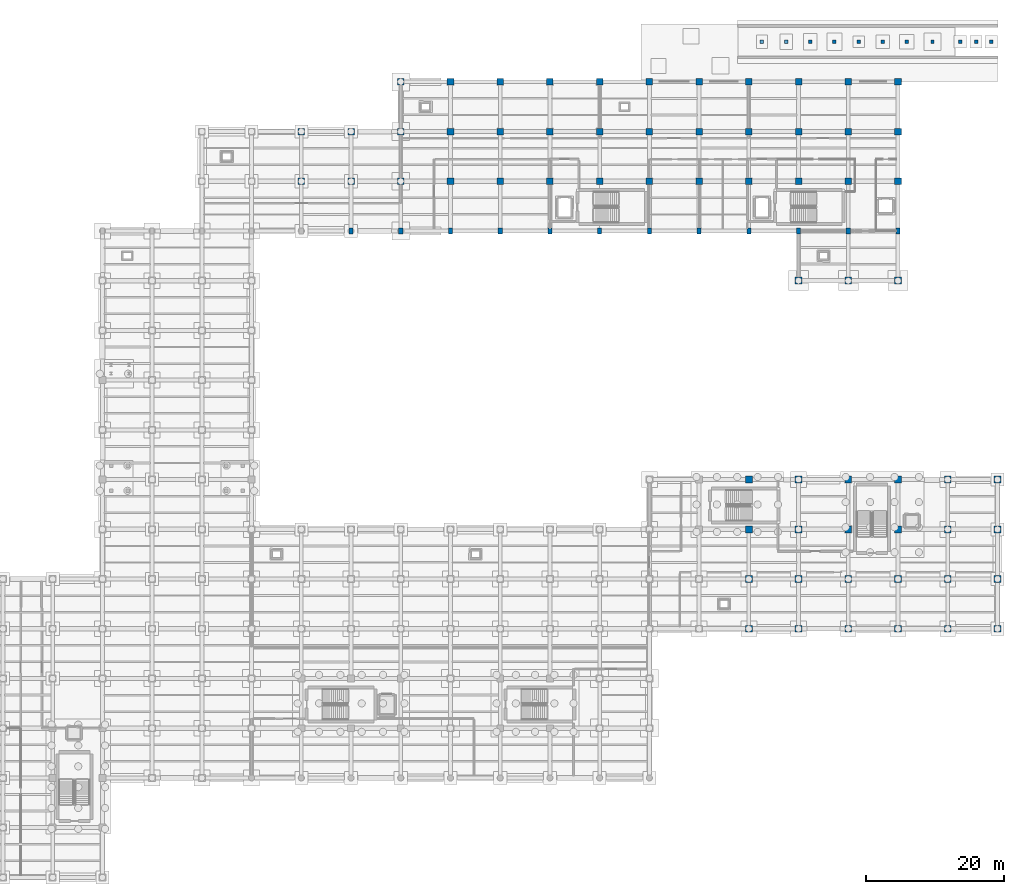
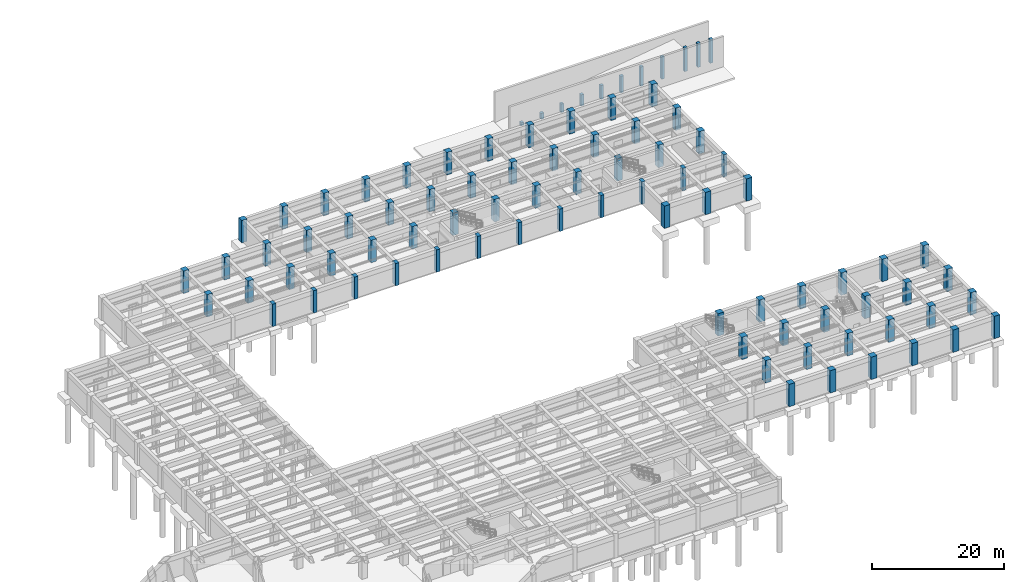
# One storey, part 7 of 34: 87 columns.
"""IFC4 building model written with IfcOpenShell, lengths in metres."""

import ifcopenshell
import ifcopenshell.guid

model = None  # the IFC model being written
_history = None  # IfcOwnerHistory: only IFC2X3 demands one
_inside = {}  # id of a spatial element -> (the spatial element, [elements in it])
_under = {}  # id of a project, library or spatial element -> (it, [spatial elements below it])
_declared = {}  # id of a project -> (the project, [libraries it declares])
_typed = {}  # id of a type object -> (the type object, [elements of that type])
_made_of = {}  # id of a material, layer set ... -> (it, [elements and type objects made of it])


def new_model(schema):
    """Start an empty IFC model of exactly this schema.

    Asked for "IFC4X3", IfcOpenShell would pick the latest addendum, in which some entities
    have other attributes; the version numbers below select the first issue.
    IFC2X3 requires an IfcOwnerHistory on every rooted entity: one is made here for all.
    """
    global model, _history
    if schema == "IFC4X3":
        model = ifcopenshell.file(schema_version=(4, 3, 0, 0))
    else:
        model = ifcopenshell.file(schema=schema)
    _inside.clear()
    _under.clear()
    _declared.clear()
    _typed.clear()
    _made_of.clear()
    _history = None
    if model.schema == "IFC2X3":
        org = make("IfcOrganization", Name="unknown")
        user = make(
            "IfcPersonAndOrganization",
            ThePerson=make("IfcPerson", FamilyName="unknown"),
            TheOrganization=org,
        )
        app = make(
            "IfcApplication",
            ApplicationDeveloper=org,
            Version="unknown",
            ApplicationFullName="unknown",
            ApplicationIdentifier="unknown",
        )
        _history = make(
            "IfcOwnerHistory",
            OwningUser=user,
            OwningApplication=app,
            ChangeAction="ADDED",
            CreationDate=0,
        )
    return model


def make(cls, **values):
    """One entity of the class cls with the attributes given. An attribute that is None is left unset."""
    return model.create_entity(
        cls, **{name: value for name, value in values.items() if value is not None}
    )


def rooted(cls, **values):
    """An entity with a GlobalId (a new one), such as an element, a storey or a relation."""
    return make(cls, GlobalId=ifcopenshell.guid.new(), OwnerHistory=_history, **values)


def si_unit(unit_type, name, prefix=None):
    """IfcSIUnit, for example si_unit("LENGTHUNIT", "METRE", prefix="MILLI")."""
    return make("IfcSIUnit", UnitType=unit_type, Prefix=prefix, Name=name)


def assignment(units):
    """IfcUnitAssignment: the units of a project."""
    return None if units is None else make("IfcUnitAssignment", Units=units)


def point(xyz):
    """IfcCartesianPoint."""
    return None if xyz is None else make("IfcCartesianPoint", Coordinates=xyz)


def direction(xyz):
    """IfcDirection."""
    return None if xyz is None else make("IfcDirection", DirectionRatios=xyz)


def frame(location, z_axis=None, x_axis=None):
    """IfcAxis2Placement3D, a coordinate frame: its origin and axes. An axis left out is left unset."""
    return make(
        "IfcAxis2Placement3D",
        Location=point(location),
        Axis=direction(z_axis),
        RefDirection=direction(x_axis),
    )


def frame_2d(location, x_axis=None):
    """IfcAxis2Placement2D, a coordinate frame in the plane: its origin and x axis."""
    return make(
        "IfcAxis2Placement2D", Location=point(location), RefDirection=direction(x_axis)
    )


def origin():
    """The frame at (0, 0, 0) with its axes left unset."""
    return frame((0.0, 0.0, 0.0))


def origin_2d():
    """The frame at (0, 0) in the plane with its x axis left unset."""
    return frame_2d((0.0, 0.0))


def place(relative_to, where):
    """IfcLocalPlacement: puts the frame where relative to a parent placement (None: the world)."""
    return make(
        "IfcLocalPlacement", PlacementRelTo=relative_to, RelativePlacement=where
    )


def context(
    kind, dimensions, precision=None, world=None, true_north=None, identifier=None
):
    """IfcGeometricRepresentationContext, for example the 3D "Model" context."""
    return make(
        "IfcGeometricRepresentationContext",
        ContextIdentifier=identifier,
        ContextType=kind,
        CoordinateSpaceDimension=dimensions,
        Precision=precision,
        WorldCoordinateSystem=world,
        TrueNorth=true_north,
    )


def subcontext(parent, identifier, kind, view, scale=None):
    """IfcGeometricRepresentationSubContext, for example "Body" below "Model"."""
    return make(
        "IfcGeometricRepresentationSubContext",
        ContextIdentifier=identifier,
        ContextType=kind,
        ParentContext=parent,
        TargetScale=scale,
        TargetView=view,
    )


def project(units=None, contexts=None):
    """IfcProject with its units and contexts."""
    return rooted(
        "IfcProject",
        Name="project",
        RepresentationContexts=contexts,
        UnitsInContext=assignment(units),
    )


def spatial(cls, under=None, at=None, **own):
    """A site, building, storey or space (cls), placed at a placement, below another one or the project."""
    s = rooted(cls, ObjectPlacement=at, **own)
    if under is not None:
        _under.setdefault(under.id(), (under, []))[1].append(s)
    return s


def profile(cls, at=None, kind="AREA", **sizes):
    """A parametric profile (cls). Its sizes go by their IFC names, for example OverallWidth=200.0."""
    return make(cls, ProfileType=kind, Position=at, **sizes)


def rectangle(**sizes):
    """IfcRectangleProfileDef."""
    return profile("IfcRectangleProfileDef", **sizes)


def extrude(swept, where, along, depth):
    """IfcExtrudedAreaSolid: the profile swept, set in the frame where, extruded along a direction by depth."""
    return make(
        "IfcExtrudedAreaSolid",
        SweptArea=swept,
        Position=where,
        ExtrudedDirection=direction(along),
        Depth=depth,
    )


def shape(context_of_items, identifier, shape_type, items):
    """IfcShapeRepresentation: the items that make up one representation, for example the "Body"."""
    return make(
        "IfcShapeRepresentation",
        ContextOfItems=context_of_items,
        RepresentationIdentifier=identifier,
        RepresentationType=shape_type,
        Items=items,
    )


def material(Name=None, Category=None):
    """IfcMaterial."""
    return make("IfcMaterial", Name=Name, Category=Category)


def material_profile(
    of_material, cross_section, Name=None, Category=None, Priority=None
):
    """IfcMaterialProfile: a cross section and its material."""
    return make(
        "IfcMaterialProfile",
        Name=Name,
        Material=of_material,
        Profile=cross_section,
        Priority=Priority,
        Category=Category,
    )


def profile_set(profiles, Name=None, composite=None):
    """IfcMaterialProfileSet."""
    return make(
        "IfcMaterialProfileSet",
        Name=Name,
        MaterialProfiles=profiles,
        CompositeProfile=composite,
    )


def made_of(thing, what):
    """Note that an element or type object is made of a material, layer set ...; save() writes the relation."""
    if what is not None:
        _made_of.setdefault(what.id(), (what, []))[1].append(thing)
    return thing


def type_object(cls, material=None, **own):
    """A type object (cls), such as IfcWallType, which elements share."""
    return made_of(rooted(cls, **own), material)


def element(
    cls,
    number,
    at=None,
    inside=None,
    cuts=None,
    type_object=None,
    material=None,
    context=None,
    identifier="Body",
    shape_type=None,
    held_by="IfcProductDefinitionShape",
    body=None,
    shapes=None,
    **own,
):
    """One element of the class cls, such as IfcWall. Its Tag is "e" and its number.

    at: its placement. inside: the storey or other place that contains it. cuts: it is an
    opening in that element (IfcRelVoidsElement). A single representation is given by context,
    identifier, shape_type and body (its items); several are given by shapes. held_by: the class
    of the entity that holds the representations. save() writes the other relations.
    """
    e = rooted(cls, Tag="e%d" % number, ObjectPlacement=at, **own)
    if body is not None:
        shapes = [shape(context, identifier, shape_type, body)]
    if shapes is not None:
        e.Representation = make(held_by, Representations=shapes)
    if inside is not None:
        _inside.setdefault(inside.id(), (inside, []))[1].append(e)
    if cuts is not None:
        rooted(
            "IfcRelVoidsElement", RelatingBuildingElement=cuts, RelatedOpeningElement=e
        )
    if type_object is not None:
        _typed.setdefault(type_object.id(), (type_object, []))[1].append(e)
    return made_of(e, material)


def aggregate(whole, parts):
    """IfcRelAggregates: a whole, such as a stair, and the parts it consists of."""
    return rooted("IfcRelAggregates", RelatingObject=whole, RelatedObjects=parts)


def save(model, path):
    """Write the relations noted so far, then the file.

    IfcRelAggregates (storeys below a building ...), IfcRelContainedInSpatialStructure (elements
    in a storey), IfcRelDefinesByType, IfcRelAssociatesMaterial and IfcRelDeclares: one each for
    every whole, place, type object, material and project.
    """
    for whole, parts in _under.values():
        aggregate(whole, parts)
    for where, things in _inside.values():
        rooted(
            "IfcRelContainedInSpatialStructure",
            RelatedElements=things,
            RelatingStructure=where,
        )
    for kind, things in _typed.values():
        rooted("IfcRelDefinesByType", RelatedObjects=things, RelatingType=kind)
    for what, things in _made_of.values():
        rooted("IfcRelAssociatesMaterial", RelatedObjects=things, RelatingMaterial=what)
    for by, libraries in _declared.values():
        rooted("IfcRelDeclares", RelatingContext=by, RelatedDefinitions=libraries)
    model.write(path)


model = new_model("IFC4")

# Units and contexts
model_context = context("Model", 3, precision=1e-05, world=origin(), true_north=direction((0.0, 1.0)))
body_context = subcontext(model_context, "Body", "Model", "MODEL_VIEW")
ifc_project = project(units=[si_unit("LENGTHUNIT", "METRE"), si_unit("AREAUNIT", "SQUARE_METRE"), si_unit("VOLUMEUNIT", "CUBIC_METRE"), si_unit("PLANEANGLEUNIT", "RADIAN"), si_unit("MASSUNIT", "GRAM", prefix="KILO")], contexts=[model_context])

# Site, building, storey
site_placement = place(None, origin())
site = spatial("IfcSite", under=ifc_project, at=site_placement, CompositionType="ELEMENT")
building_placement = place(site_placement, origin())
building = spatial("IfcBuilding", under=site, at=building_placement, Name="Solenvale Faculty of Natural Sciences", CompositionType="ELEMENT")
storey_placement = place(building_placement, frame((0.0, 0.0, -4.5)))
storey = spatial("IfcBuildingStorey", under=building, at=storey_placement, Name="B01", CompositionType="ELEMENT", Elevation=-4.5)

# Columns
ifc_material_1 = material(Name="Concrete 50 MPa", Category="concrete")
ifc_material_profile_1 = material_profile(ifc_material_1, rectangle(XDim=1.0, YDim=1.0, at=origin_2d()), Name="RC-COL-1000x1000")
ifc_profile_set_1 = profile_set([ifc_material_profile_1], Name="Concrete 50 MPa")
column_type_1 = type_object("IfcColumnType", Name="COL-RC-1000", PredefinedType="COLUMN", material=ifc_profile_set_1)
for number, where, z_axis, x_axis, name in (
    (1, (129.60009765625, 36.0, 0.0), (0.0, 0.0, 1.0), (1.0, 0.0, 0.0), "B01 Column (129.6, 36.0)"),
    (2, (129.60009765625, 43.199951171875, 0.0), (0.0, 0.0, 1.0), (1.0, 0.0, 0.0), "B01 Column (129.6, 43.2)"),
    (3, (129.60009765625, 50.39990234375, 0.0), (0.0, 0.0, 1.0), (1.0, 0.0, 0.0), "B01 Column (129.6, 50.4)"),
    (4, (129.60009765625, 57.60009765625, 0.0), (0.0, 0.0, 1.0), (1.0, 0.0, 0.0), "B01 Column (129.6, 57.6)"),
    (5, (136.800048828125, 36.0, 0.0), (0.0, 0.0, 1.0), (1.0, 0.0, 0.0), "B01 Column (136.8, 36.0)"),
    (6, (136.800048828125, 43.199951171875, 0.0), (0.0, 0.0, 1.0), (1.0, 0.0, 0.0), "B01 Column (136.8, 43.2)"),
    (7, (136.800048828125, 50.39990234375, 0.0), (0.0, 0.0, 1.0), (1.0, 0.0, 0.0), "B01 Column (136.8, 50.4)"),
    (8, (136.800048828125, 57.60009765625, 0.0), (0.0, 0.0, 1.0), (1.0, 0.0, 0.0), "B01 Column (136.8, 57.6)"),
    (9, (136.800048828125, 86.39990234375, 0.0), (0.0, 0.0, 1.0), (1.0, 0.0, 0.0), "B01 Column (136.8, 86.4)"),
    (10, (144.0, 36.0, 0.0), (0.0, 0.0, 1.0), (1.0, 0.0, 0.0), "B01 Column (144.0, 36.0)"),
    (11, (144.0, 43.199951171875, 0.0), (0.0, 0.0, 1.0), (1.0, 0.0, 0.0), "B01 Column (144.0, 43.2)"),
    (12, (144.0, 50.39990234375, 0.0), (0.0, 0.0, 1.0), (1.0, 0.0, 0.0), "B01 Column (144.0, 50.4)"),
    (13, (144.0, 57.60009765625, 0.0), (0.0, 0.0, 1.0), (1.0, 0.0, 0.0), "B01 Column (144.0, 57.6)"),
    (14, (144.0, 86.39990234375, 0.0), (0.0, 0.0, 1.0), (1.0, 0.0, 0.0), "B01 Column (144.0, 86.4)"),
    (15, (151.199951171875, 36.0, 0.0), (0.0, 0.0, 1.0), (1.0, 0.0, 0.0), "B01 Column (151.2, 36.0)"),
    (16, (151.199951171875, 43.199951171875, 0.0), (0.0, 0.0, 1.0), (1.0, 0.0, 0.0), "B01 Column (151.2, 43.2)"),
    (17, (151.199951171875, 50.39990234375, 0.0), (0.0, 0.0, 1.0), (1.0, 0.0, 0.0), "B01 Column (151.2, 50.4)"),
    (18, (151.199951171875, 57.60009765625, 0.0), (0.0, 0.0, 1.0), (1.0, 0.0, 0.0), "B01 Column (151.2, 57.6)"),
    (19, (151.199951171875, 86.39990234375, 0.0), (0.0, 0.0, 1.0), (1.0, 0.0, 0.0), "B01 Column (151.2, 86.4)"),
    (20, (158.39990234375, 36.0, 0.0), (0.0, 0.0, 1.0), (1.0, 0.0, 0.0), "B01 Column (158.4, 36.0)"),
    (21, (158.39990234375, 43.199951171875, 0.0), (0.0, 0.0, 1.0), (1.0, 0.0, 0.0), "B01 Column (158.4, 43.2)"),
    (22, (158.39990234375, 50.39990234375, 0.0), (0.0, 0.0, 1.0), (1.0, 0.0, 0.0), "B01 Column (158.4, 50.4)"),
    (23, (158.39990234375, 57.60009765625, 0.0), (0.0, 0.0, 1.0), (1.0, 0.0, 0.0), "B01 Column (158.4, 57.6)"),
    (24, (165.60009765625, 36.0, 0.0), (0.0, 0.0, 1.0), (1.0, 0.0, 0.0), "B01 Column (165.6, 36.0)"),
    (25, (165.60009765625, 43.199951171875, 0.0), (0.0, 0.0, 1.0), (1.0, 0.0, 0.0), "B01 Column (165.6, 43.2)"),
    (26, (165.60009765625, 50.39990234375, 0.0), (0.0, 0.0, 1.0), (1.0, 0.0, 0.0), "B01 Column (165.6, 50.4)"),
    (27, (165.60009765625, 57.60009765625, 0.0), (0.0, 0.0, 1.0), (1.0, 0.0, 0.0), "B01 Column (165.6, 57.6)"),
):
    element("IfcColumn", number, at=place(storey_placement, frame(where, z_axis=z_axis, x_axis=x_axis)), inside=storey, type_object=column_type_1, Name=name, PredefinedType="COLUMN", context=body_context, shape_type="SweptSolid", body=[
        extrude(rectangle(XDim=1.0, YDim=1.0, at=origin_2d()), origin(), (0.0, 0.0, 1.0), 4.14990234375),
    ])
ifc_material_2 = material(Name="Concrete 40 MPa", Category="concrete")
ifc_material_profile_2 = material_profile(ifc_material_2, rectangle(XDim=0.5, YDim=0.5, at=origin_2d()), Name="RC-COL-500x500")
ifc_profile_set_2 = profile_set([ifc_material_profile_2], Name="Concrete 40 MPa")
column_type_2 = type_object("IfcColumnType", Name="COL-RC-500", PredefinedType="COLUMN", material=ifc_profile_set_2)
column_1_placement = place(storey_placement, frame((131.5, 121.0, -0.35009765625), z_axis=(0.0, 0.0, 1.0), x_axis=(1.0, 0.0, 0.0)))
element("IfcColumn", 28, at=column_1_placement, inside=storey, type_object=column_type_2, Name="Vehicle Ramp Support Pier 1", PredefinedType="COLUMN", context=body_context, shape_type="SweptSolid", body=[
    extrude(rectangle(XDim=0.5, YDim=0.5, at=origin_2d()), origin(), (0.0, 0.0, 1.0), 0.590087890625),
])
column_2_placement = place(storey_placement, frame((135.0, 121.0, -0.35009765625), z_axis=(0.0, 0.0, 1.0), x_axis=(1.0, 0.0, 0.0)))
element("IfcColumn", 29, at=column_2_placement, inside=storey, type_object=column_type_2, Name="Vehicle Ramp Support Pier 2", PredefinedType="COLUMN", context=body_context, shape_type="SweptSolid", body=[
    extrude(rectangle(XDim=0.5, YDim=0.5, at=origin_2d()), origin(), (0.0, 0.0, 1.0), 1.090087890625),
])
column_3_placement = place(storey_placement, frame((138.5, 121.0, -0.35009765625), z_axis=(0.0, 0.0, 1.0), x_axis=(1.0, 0.0, 0.0)))
element("IfcColumn", 30, at=column_3_placement, inside=storey, type_object=column_type_2, Name="Vehicle Ramp Support Pier 3", PredefinedType="COLUMN", context=body_context, shape_type="SweptSolid", body=[
    extrude(rectangle(XDim=0.5, YDim=0.5, at=origin_2d()), origin(), (0.0, 0.0, 1.0), 1.590087890625),
])
column_4_placement = place(storey_placement, frame((142.0, 121.0, -0.35009765625), z_axis=(0.0, 0.0, 1.0), x_axis=(1.0, 0.0, 0.0)))
element("IfcColumn", 31, at=column_4_placement, inside=storey, type_object=column_type_2, Name="Vehicle Ramp Support Pier 4", PredefinedType="COLUMN", context=body_context, shape_type="SweptSolid", body=[
    extrude(rectangle(XDim=0.5, YDim=0.5, at=origin_2d()), origin(), (0.0, 0.0, 1.0), 2.090087890625),
])
column_5_placement = place(storey_placement, frame((145.5, 121.0, -0.35009765625), z_axis=(0.0, 0.0, 1.0), x_axis=(1.0, 0.0, 0.0)))
element("IfcColumn", 32, at=column_5_placement, inside=storey, type_object=column_type_2, Name="Vehicle Ramp Support Pier 5", PredefinedType="COLUMN", context=body_context, shape_type="SweptSolid", body=[
    extrude(rectangle(XDim=0.5, YDim=0.5, at=origin_2d()), origin(), (0.0, 0.0, 1.0), 2.590087890625),
])
column_6_placement = place(storey_placement, frame((149.0, 121.0, -0.35009765625), z_axis=(0.0, 0.0, 1.0), x_axis=(1.0, 0.0, 0.0)))
element("IfcColumn", 33, at=column_6_placement, inside=storey, type_object=column_type_2, Name="Vehicle Ramp Support Pier 6", PredefinedType="COLUMN", context=body_context, shape_type="SweptSolid", body=[
    extrude(rectangle(XDim=0.5, YDim=0.5, at=origin_2d()), origin(), (0.0, 0.0, 1.0), 3.090087890625),
])
column_7_placement = place(storey_placement, frame((152.5, 121.0, -0.35009765625), z_axis=(0.0, 0.0, 1.0), x_axis=(1.0, 0.0, 0.0)))
element("IfcColumn", 34, at=column_7_placement, inside=storey, type_object=column_type_2, Name="Vehicle Ramp Support Pier 7", PredefinedType="COLUMN", context=body_context, shape_type="SweptSolid", body=[
    extrude(rectangle(XDim=0.5, YDim=0.5, at=origin_2d()), origin(), (0.0, 0.0, 1.0), 3.590087890625),
])
column_8_placement = place(storey_placement, frame((156.199951171875, 121.0, -0.35009765625), z_axis=(0.0, 0.0, 1.0), x_axis=(1.0, 0.0, 0.0)))
element("IfcColumn", 35, at=column_8_placement, inside=storey, type_object=column_type_2, Name="Vehicle Ramp Support Pier 8", PredefinedType="COLUMN", context=body_context, shape_type="SweptSolid", body=[
    extrude(rectangle(XDim=0.5, YDim=0.5, at=origin_2d()), origin(), (0.0, 0.0, 1.0), 4.1201171875),
])
for number, where, z_axis, x_axis, name in (
    (36, (160.199951171875, 121.0, -0.35009765625), (0.0, 0.0, 1.0), (1.0, 0.0, 0.0), "Vehicle Ramp Top Apron Pier 1"),
    (37, (162.5, 121.0, -0.35009765625), (0.0, 0.0, 1.0), (1.0, 0.0, 0.0), "Vehicle Ramp Top Apron Pier 2"),
    (38, (164.699951171875, 121.0, -0.35009765625), (0.0, 0.0, 1.0), (1.0, 0.0, 0.0), "Vehicle Ramp Top Apron Pier 3"),
):
    element("IfcColumn", number, at=place(storey_placement, frame(where, z_axis=z_axis, x_axis=x_axis)), inside=storey, type_object=column_type_2, Name=name, PredefinedType="COLUMN", context=body_context, shape_type="SweptSolid", body=[
        extrude(rectangle(XDim=0.5, YDim=0.5, at=origin_2d()), origin(), (0.0, 0.0, 1.0), 4.43017578125),
    ])
ifc_material_profile_3 = material_profile(ifc_material_1, rectangle(XDim=0.60009765625, YDim=0.89990234375, at=origin_2d()), Name="RC-COL-600x900")
ifc_profile_set_3 = profile_set([ifc_material_profile_3], Name="Concrete 50 MPa")
column_type_3 = type_object("IfcColumnType", Name="COL-RC-600x900", PredefinedType="COLUMN", material=ifc_profile_set_3)
for number, where, z_axis, x_axis, name in (
    (39, (72.0, 93.60009765625, 0.0), (0.0, 0.0, 1.0), (1.0, 0.0, 0.0), "B01 Column (72.0, 93.6)"),
    (40, (79.199951171875, 93.60009765625, 0.0), (0.0, 0.0, 1.0), (1.0, 0.0, 0.0), "B01 Column (79.2, 93.6)"),
    (41, (86.39990234375, 93.60009765625, 0.0), (0.0, 0.0, 1.0), (1.0, 0.0, 0.0), "B01 Column (86.4, 93.6)"),
    (42, (93.60009765625, 93.60009765625, 0.0), (0.0, 0.0, 1.0), (1.0, 0.0, 0.0), "B01 Column (93.6, 93.6)"),
    (43, (100.800048828125, 93.60009765625, 0.0), (0.0, 0.0, 1.0), (1.0, 0.0, 0.0), "B01 Column (100.8, 93.6)"),
    (44, (108.0, 93.60009765625, 0.0), (0.0, 0.0, 1.0), (1.0, 0.0, 0.0), "B01 Column (108.0, 93.6)"),
    (45, (115.199951171875, 93.60009765625, 0.0), (0.0, 0.0, 1.0), (1.0, 0.0, 0.0), "B01 Column (115.2, 93.6)"),
    (46, (122.39990234375, 93.60009765625, 0.0), (0.0, 0.0, 1.0), (1.0, 0.0, 0.0), "B01 Column (122.4, 93.6)"),
    (47, (129.60009765625, 93.60009765625, 0.0), (0.0, 0.0, 1.0), (1.0, 0.0, 0.0), "B01 Column (129.6, 93.6)"),
    (48, (136.800048828125, 93.60009765625, 0.0), (0.0, 0.0, 1.0), (1.0, 0.0, 0.0), "B01 Column (136.8, 93.6)"),
    (49, (144.0, 93.60009765625, 0.0), (0.0, 0.0, 1.0), (1.0, 0.0, 0.0), "B01 Column (144.0, 93.6)"),
    (50, (151.199951171875, 93.60009765625, 0.0), (0.0, 0.0, 1.0), (1.0, 0.0, 0.0), "B01 Column (151.2, 93.6)"),
):
    element("IfcColumn", number, at=place(storey_placement, frame(where, z_axis=z_axis, x_axis=x_axis)), inside=storey, type_object=column_type_3, Name=name, PredefinedType="COLUMN", context=body_context, shape_type="SweptSolid", body=[
        extrude(rectangle(XDim=0.60009765625, YDim=0.89990234375, at=origin_2d()), origin(), (0.0, 0.0, 1.0), 4.14990234375),
    ])
ifc_material_profile_4 = material_profile(ifc_material_1, rectangle(XDim=0.949951171875, YDim=0.949951171875, at=origin_2d()), Name="RC-COL-950x950")
ifc_profile_set_4 = profile_set([ifc_material_profile_4], Name="Concrete 50 MPa")
column_type_4 = type_object("IfcColumnType", Name="COL-RC-950", PredefinedType="COLUMN", material=ifc_profile_set_4)
for number, where, z_axis, x_axis, name in (
    (51, (64.800048828125, 100.800048828125, 0.0), (0.0, 0.0, 1.0), (1.0, 0.0, 0.0), "B01 Column (64.8, 100.8)"),
    (52, (64.800048828125, 108.0, 0.0), (0.0, 0.0, 1.0), (1.0, 0.0, 0.0), "B01 Column (64.8, 108.0)"),
    (53, (72.0, 100.800048828125, 0.0), (0.0, 0.0, 1.0), (1.0, 0.0, 0.0), "B01 Column (72.0, 100.8)"),
    (54, (72.0, 108.0, 0.0), (0.0, 0.0, 1.0), (1.0, 0.0, 0.0), "B01 Column (72.0, 108.0)"),
    (55, (79.199951171875, 100.800048828125, 0.0), (0.0, 0.0, 1.0), (1.0, 0.0, 0.0), "B01 Column (79.2, 100.8)"),
    (56, (79.199951171875, 108.0, 0.0), (0.0, 0.0, 1.0), (1.0, 0.0, 0.0), "B01 Column (79.2, 108.0)"),
    (57, (79.199951171875, 115.199951171875, 0.0), (0.0, 0.0, 1.0), (1.0, 0.0, 0.0), "B01 Column (79.2, 115.2)"),
    (58, (86.39990234375, 100.800048828125, 0.0), (0.0, 0.0, 1.0), (1.0, 0.0, 0.0), "B01 Column (86.4, 100.8)"),
    (59, (86.39990234375, 108.0, 0.0), (0.0, 0.0, 1.0), (1.0, 0.0, 0.0), "B01 Column (86.4, 108.0)"),
    (60, (86.39990234375, 115.199951171875, 0.0), (0.0, 0.0, 1.0), (1.0, 0.0, 0.0), "B01 Column (86.4, 115.2)"),
    (61, (93.60009765625, 100.800048828125, 0.0), (0.0, 0.0, 1.0), (1.0, 0.0, 0.0), "B01 Column (93.6, 100.8)"),
    (62, (93.60009765625, 108.0, 0.0), (0.0, 0.0, 1.0), (1.0, 0.0, 0.0), "B01 Column (93.6, 108.0)"),
    (63, (93.60009765625, 115.199951171875, 0.0), (0.0, 0.0, 1.0), (1.0, 0.0, 0.0), "B01 Column (93.6, 115.2)"),
    (64, (100.800048828125, 100.800048828125, 0.0), (0.0, 0.0, 1.0), (1.0, 0.0, 0.0), "B01 Column (100.8, 100.8)"),
    (65, (100.800048828125, 108.0, 0.0), (0.0, 0.0, 1.0), (1.0, 0.0, 0.0), "B01 Column (100.8, 108.0)"),
    (66, (100.800048828125, 115.199951171875, 0.0), (0.0, 0.0, 1.0), (1.0, 0.0, 0.0), "B01 Column (100.8, 115.2)"),
    (67, (108.0, 100.800048828125, 0.0), (0.0, 0.0, 1.0), (1.0, 0.0, 0.0), "B01 Column (108.0, 100.8)"),
    (68, (108.0, 108.0, 0.0), (0.0, 0.0, 1.0), (1.0, 0.0, 0.0), "B01 Column (108.0, 108.0)"),
    (69, (108.0, 115.199951171875, 0.0), (0.0, 0.0, 1.0), (1.0, 0.0, 0.0), "B01 Column (108.0, 115.2)"),
    (70, (115.199951171875, 100.800048828125, 0.0), (0.0, 0.0, 1.0), (1.0, 0.0, 0.0), "B01 Column (115.2, 100.8)"),
    (71, (115.199951171875, 108.0, 0.0), (0.0, 0.0, 1.0), (1.0, 0.0, 0.0), "B01 Column (115.2, 108.0)"),
    (72, (115.199951171875, 115.199951171875, 0.0), (0.0, 0.0, 1.0), (1.0, 0.0, 0.0), "B01 Column (115.2, 115.2)"),
    (73, (122.39990234375, 100.800048828125, 0.0), (0.0, 0.0, 1.0), (1.0, 0.0, 0.0), "B01 Column (122.4, 100.8)"),
    (74, (122.39990234375, 108.0, 0.0), (0.0, 0.0, 1.0), (1.0, 0.0, 0.0), "B01 Column (122.4, 108.0)"),
    (75, (122.39990234375, 115.199951171875, 0.0), (0.0, 0.0, 1.0), (1.0, 0.0, 0.0), "B01 Column (122.4, 115.2)"),
    (76, (129.60009765625, 100.800048828125, 0.0), (0.0, 0.0, 1.0), (1.0, 0.0, 0.0), "B01 Column (129.6, 100.8)"),
    (77, (129.60009765625, 108.0, 0.0), (0.0, 0.0, 1.0), (1.0, 0.0, 0.0), "B01 Column (129.6, 108.0)"),
    (78, (129.60009765625, 115.199951171875, 0.0), (0.0, 0.0, 1.0), (1.0, 0.0, 0.0), "B01 Column (129.6, 115.2)"),
    (79, (136.800048828125, 100.800048828125, 0.0), (0.0, 0.0, 1.0), (1.0, 0.0, 0.0), "B01 Column (136.8, 100.8)"),
    (80, (136.800048828125, 108.0, 0.0), (0.0, 0.0, 1.0), (1.0, 0.0, 0.0), "B01 Column (136.8, 108.0)"),
    (81, (136.800048828125, 115.199951171875, 0.0), (0.0, 0.0, 1.0), (1.0, 0.0, 0.0), "B01 Column (136.8, 115.2)"),
    (82, (144.0, 100.800048828125, 0.0), (0.0, 0.0, 1.0), (1.0, 0.0, 0.0), "B01 Column (144.0, 100.8)"),
    (83, (144.0, 108.0, 0.0), (0.0, 0.0, 1.0), (1.0, 0.0, 0.0), "B01 Column (144.0, 108.0)"),
    (84, (144.0, 115.199951171875, 0.0), (0.0, 0.0, 1.0), (1.0, 0.0, 0.0), "B01 Column (144.0, 115.2)"),
    (85, (151.199951171875, 100.800048828125, 0.0), (0.0, 0.0, 1.0), (1.0, 0.0, 0.0), "B01 Column (151.2, 100.8)"),
    (86, (151.199951171875, 108.0, 0.0), (0.0, 0.0, 1.0), (1.0, 0.0, 0.0), "B01 Column (151.2, 108.0)"),
    (87, (151.199951171875, 115.199951171875, 0.0), (0.0, 0.0, 1.0), (1.0, 0.0, 0.0), "B01 Column (151.2, 115.2)"),
):
    element("IfcColumn", number, at=place(storey_placement, frame(where, z_axis=z_axis, x_axis=x_axis)), inside=storey, type_object=column_type_4, Name=name, PredefinedType="COLUMN", context=body_context, shape_type="SweptSolid", body=[
        extrude(rectangle(XDim=0.949951171875, YDim=0.949951171875, at=origin_2d()), origin(), (0.0, 0.0, 1.0), 4.14990234375),
    ])

save(model, "model.ifc")
